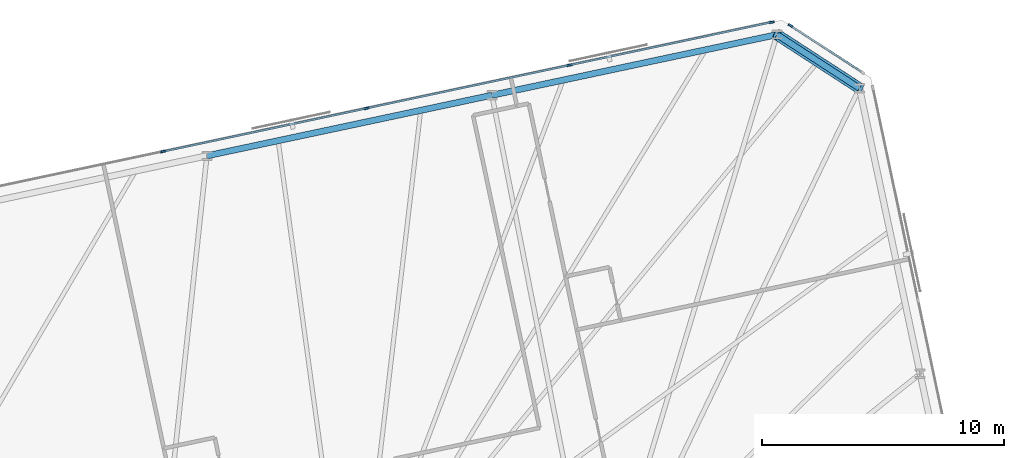
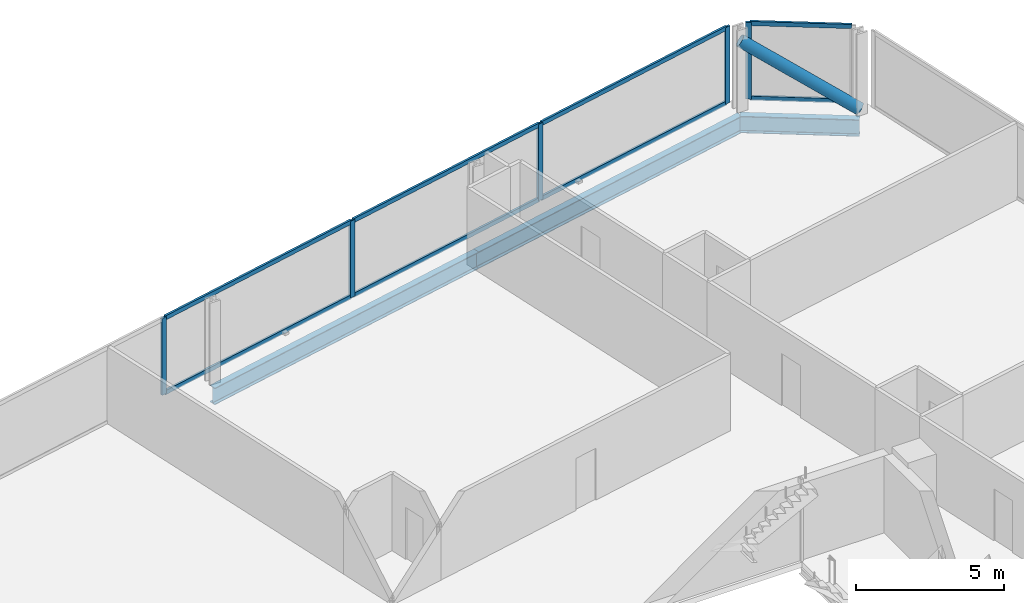
# One storey, part 11 of 19: 14 members, 3 beams, 2 elements without a shape of their own.
"""IFC4 building model written with IfcOpenShell, lengths in metres."""

import ifcopenshell
import ifcopenshell.guid

model = None  # the IFC model being written
_history = None  # IfcOwnerHistory: only IFC2X3 demands one
_inside = {}  # id of a spatial element -> (the spatial element, [elements in it])
_under = {}  # id of a project, library or spatial element -> (it, [spatial elements below it])
_declared = {}  # id of a project -> (the project, [libraries it declares])
_typed = {}  # id of a type object -> (the type object, [elements of that type])
_made_of = {}  # id of a material, layer set ... -> (it, [elements and type objects made of it])


def new_model(schema):
    """Start an empty IFC model of exactly this schema.

    Asked for "IFC4X3", IfcOpenShell would pick the latest addendum, in which some entities
    have other attributes; the version numbers below select the first issue.
    IFC2X3 requires an IfcOwnerHistory on every rooted entity: one is made here for all.
    """
    global model, _history
    if schema == "IFC4X3":
        model = ifcopenshell.file(schema_version=(4, 3, 0, 0))
    else:
        model = ifcopenshell.file(schema=schema)
    _inside.clear()
    _under.clear()
    _declared.clear()
    _typed.clear()
    _made_of.clear()
    _history = None
    if model.schema == "IFC2X3":
        org = make("IfcOrganization", Name="unknown")
        user = make(
            "IfcPersonAndOrganization",
            ThePerson=make("IfcPerson", FamilyName="unknown"),
            TheOrganization=org,
        )
        app = make(
            "IfcApplication",
            ApplicationDeveloper=org,
            Version="unknown",
            ApplicationFullName="unknown",
            ApplicationIdentifier="unknown",
        )
        _history = make(
            "IfcOwnerHistory",
            OwningUser=user,
            OwningApplication=app,
            ChangeAction="ADDED",
            CreationDate=0,
        )
    return model


def make(cls, **values):
    """One entity of the class cls with the attributes given. An attribute that is None is left unset."""
    return model.create_entity(
        cls, **{name: value for name, value in values.items() if value is not None}
    )


def rooted(cls, **values):
    """An entity with a GlobalId (a new one), such as an element, a storey or a relation."""
    return make(cls, GlobalId=ifcopenshell.guid.new(), OwnerHistory=_history, **values)


def si_unit(unit_type, name, prefix=None):
    """IfcSIUnit, for example si_unit("LENGTHUNIT", "METRE", prefix="MILLI")."""
    return make("IfcSIUnit", UnitType=unit_type, Prefix=prefix, Name=name)


def assignment(units):
    """IfcUnitAssignment: the units of a project."""
    return None if units is None else make("IfcUnitAssignment", Units=units)


def point(xyz):
    """IfcCartesianPoint."""
    return None if xyz is None else make("IfcCartesianPoint", Coordinates=xyz)


def direction(xyz):
    """IfcDirection."""
    return None if xyz is None else make("IfcDirection", DirectionRatios=xyz)


def frame(location, z_axis=None, x_axis=None):
    """IfcAxis2Placement3D, a coordinate frame: its origin and axes. An axis left out is left unset."""
    return make(
        "IfcAxis2Placement3D",
        Location=point(location),
        Axis=direction(z_axis),
        RefDirection=direction(x_axis),
    )


def frame_2d(location, x_axis=None):
    """IfcAxis2Placement2D, a coordinate frame in the plane: its origin and x axis."""
    return make(
        "IfcAxis2Placement2D", Location=point(location), RefDirection=direction(x_axis)
    )


def origin():
    """The frame at (0, 0, 0) with its axes left unset."""
    return frame((0.0, 0.0, 0.0))


def origin_2d():
    """The frame at (0, 0) in the plane with its x axis left unset."""
    return frame_2d((0.0, 0.0))


def place(relative_to, where):
    """IfcLocalPlacement: puts the frame where relative to a parent placement (None: the world)."""
    return make(
        "IfcLocalPlacement", PlacementRelTo=relative_to, RelativePlacement=where
    )


def context(
    kind, dimensions, precision=None, world=None, true_north=None, identifier=None
):
    """IfcGeometricRepresentationContext, for example the 3D "Model" context."""
    return make(
        "IfcGeometricRepresentationContext",
        ContextIdentifier=identifier,
        ContextType=kind,
        CoordinateSpaceDimension=dimensions,
        Precision=precision,
        WorldCoordinateSystem=world,
        TrueNorth=true_north,
    )


def subcontext(parent, identifier, kind, view, scale=None):
    """IfcGeometricRepresentationSubContext, for example "Body" below "Model"."""
    return make(
        "IfcGeometricRepresentationSubContext",
        ContextIdentifier=identifier,
        ContextType=kind,
        ParentContext=parent,
        TargetScale=scale,
        TargetView=view,
    )


def project(units=None, contexts=None):
    """IfcProject with its units and contexts."""
    return rooted(
        "IfcProject",
        Name="project",
        RepresentationContexts=contexts,
        UnitsInContext=assignment(units),
    )


def spatial(cls, under=None, at=None, **own):
    """A site, building, storey or space (cls), placed at a placement, below another one or the project."""
    s = rooted(cls, ObjectPlacement=at, **own)
    if under is not None:
        _under.setdefault(under.id(), (under, []))[1].append(s)
    return s


def profile(cls, at=None, kind="AREA", **sizes):
    """A parametric profile (cls). Its sizes go by their IFC names, for example OverallWidth=200.0."""
    return make(cls, ProfileType=kind, Position=at, **sizes)


def rectangle(**sizes):
    """IfcRectangleProfileDef."""
    return profile("IfcRectangleProfileDef", **sizes)


def hollow_circle(**sizes):
    """IfcCircleHollowProfileDef."""
    return profile("IfcCircleHollowProfileDef", **sizes)


def i_section(**sizes):
    """IfcIShapeProfileDef."""
    return profile("IfcIShapeProfileDef", **sizes)


def extrude(swept, where, along, depth):
    """IfcExtrudedAreaSolid: the profile swept, set in the frame where, extruded along a direction by depth."""
    return make(
        "IfcExtrudedAreaSolid",
        SweptArea=swept,
        Position=where,
        ExtrudedDirection=direction(along),
        Depth=depth,
    )


def shape(context_of_items, identifier, shape_type, items):
    """IfcShapeRepresentation: the items that make up one representation, for example the "Body"."""
    return make(
        "IfcShapeRepresentation",
        ContextOfItems=context_of_items,
        RepresentationIdentifier=identifier,
        RepresentationType=shape_type,
        Items=items,
    )


def material(Name=None, Category=None):
    """IfcMaterial."""
    return make("IfcMaterial", Name=Name, Category=Category)


def material_profile(
    of_material, cross_section, Name=None, Category=None, Priority=None
):
    """IfcMaterialProfile: a cross section and its material."""
    return make(
        "IfcMaterialProfile",
        Name=Name,
        Material=of_material,
        Profile=cross_section,
        Priority=Priority,
        Category=Category,
    )


def profile_set(profiles, Name=None, composite=None):
    """IfcMaterialProfileSet."""
    return make(
        "IfcMaterialProfileSet",
        Name=Name,
        MaterialProfiles=profiles,
        CompositeProfile=composite,
    )


def made_of(thing, what):
    """Note that an element or type object is made of a material, layer set ...; save() writes the relation."""
    if what is not None:
        _made_of.setdefault(what.id(), (what, []))[1].append(thing)
    return thing


def type_object(cls, material=None, **own):
    """A type object (cls), such as IfcWallType, which elements share."""
    return made_of(rooted(cls, **own), material)


def element(
    cls,
    number,
    at=None,
    inside=None,
    cuts=None,
    type_object=None,
    material=None,
    context=None,
    identifier="Body",
    shape_type=None,
    held_by="IfcProductDefinitionShape",
    body=None,
    shapes=None,
    **own,
):
    """One element of the class cls, such as IfcWall. Its Tag is "e" and its number.

    at: its placement. inside: the storey or other place that contains it. cuts: it is an
    opening in that element (IfcRelVoidsElement). A single representation is given by context,
    identifier, shape_type and body (its items); several are given by shapes. held_by: the class
    of the entity that holds the representations. save() writes the other relations.
    """
    e = rooted(cls, Tag="e%d" % number, ObjectPlacement=at, **own)
    if body is not None:
        shapes = [shape(context, identifier, shape_type, body)]
    if shapes is not None:
        e.Representation = make(held_by, Representations=shapes)
    if inside is not None:
        _inside.setdefault(inside.id(), (inside, []))[1].append(e)
    if cuts is not None:
        rooted(
            "IfcRelVoidsElement", RelatingBuildingElement=cuts, RelatedOpeningElement=e
        )
    if type_object is not None:
        _typed.setdefault(type_object.id(), (type_object, []))[1].append(e)
    return made_of(e, material)


def aggregate(whole, parts):
    """IfcRelAggregates: a whole, such as a stair, and the parts it consists of."""
    return rooted("IfcRelAggregates", RelatingObject=whole, RelatedObjects=parts)


def save(model, path):
    """Write the relations noted so far, then the file.

    IfcRelAggregates (storeys below a building ...), IfcRelContainedInSpatialStructure (elements
    in a storey), IfcRelDefinesByType, IfcRelAssociatesMaterial and IfcRelDeclares: one each for
    every whole, place, type object, material and project.
    """
    for whole, parts in _under.values():
        aggregate(whole, parts)
    for where, things in _inside.values():
        rooted(
            "IfcRelContainedInSpatialStructure",
            RelatedElements=things,
            RelatingStructure=where,
        )
    for kind, things in _typed.values():
        rooted("IfcRelDefinesByType", RelatedObjects=things, RelatingType=kind)
    for what, things in _made_of.values():
        rooted("IfcRelAssociatesMaterial", RelatedObjects=things, RelatingMaterial=what)
    for by, libraries in _declared.values():
        rooted("IfcRelDeclares", RelatingContext=by, RelatedDefinitions=libraries)
    model.write(path)


model = new_model("IFC4")

# Units and contexts
model_context = context("Model", 3, precision=1e-05, world=origin(), true_north=direction((0.0, 1.0)))
body_context = subcontext(model_context, "Body", "Model", "MODEL_VIEW")
ifc_project = project(units=[si_unit("LENGTHUNIT", "METRE"), si_unit("AREAUNIT", "SQUARE_METRE"), si_unit("VOLUMEUNIT", "CUBIC_METRE"), si_unit("PLANEANGLEUNIT", "RADIAN"), si_unit("MASSUNIT", "GRAM", prefix="KILO")], contexts=[model_context])

# Site, building, storey
site_placement = place(None, origin())
site = spatial("IfcSite", under=ifc_project, at=site_placement, CompositionType="ELEMENT")
building_placement = place(site_placement, origin())
building = spatial("IfcBuilding", under=site, at=building_placement, Name="Menara Jurai Vektor", CompositionType="ELEMENT")
storey_placement = place(building_placement, frame((0.0, 0.0, 151.39990234375)))
storey = spatial("IfcBuildingStorey", under=building, at=storey_placement, Name="L38", CompositionType="ELEMENT", Elevation=151.39990234375)

# Curtain wall, member
ifc_material_1 = material(Name="Anodised Pale Aluminium & Low-E Double Glazing", Category="aluminium")
curtain_wall_type = type_object("IfcCurtainWallType", Name="CW-BLK3", PredefinedType="NOTDEFINED", material=ifc_material_1)
curtain_wall_1_placement = place(storey_placement, origin())
curtain_wall_1 = element("IfcCurtainWall", 1, at=curtain_wall_1_placement, inside=storey, type_object=curtain_wall_type, Name="Unitised Curtain Wall L38 F04", PredefinedType="NOTDEFINED")
ifc_material_2 = material(Name="Anodised Pale Aluminium Mullion", Category="aluminium")
ifc_material_profile_1 = material_profile(ifc_material_2, rectangle(XDim=0.0849609375, YDim=0.205078125, at=origin_2d()), Name="ALU MUL 85x205")
ifc_profile_set_1 = profile_set([ifc_material_profile_1], Name="Anodised Pale Aluminium Mullion")
member_type_1 = type_object("IfcMemberType", Name="CW-BLK3-MUL", PredefinedType="MULLION", material=ifc_profile_set_1)
member_1_placement = place(storey_placement, frame((23.219970703125, 29.920654296875, 0.0), z_axis=(0.0, 0.0, 1.0), x_axis=(-0.544617794346, -0.838684361415, 0.0)))
member_1 = element("IfcMember", 2, at=member_1_placement, type_object=member_type_1, Name="CW-03 mullion 2", PredefinedType="MULLION", context=body_context, shape_type="SweptSolid", body=[
    extrude(rectangle(XDim=0.0849609375, YDim=0.205078125, at=origin_2d()), origin(), (0.0, 0.0, 1.0), 3.175048828125),
])

# Curtain wall, members
curtain_wall_2_placement = place(storey_placement, origin())
curtain_wall_2 = element("IfcCurtainWall", 3, at=curtain_wall_2_placement, inside=storey, type_object=curtain_wall_type, Name="Unitised Curtain Wall L38 F05", PredefinedType="NOTDEFINED")
member_2_placement = place(storey_placement, frame((22.452392578125, 30.062744140625, 0.0), z_axis=(0.0, 0.0, 1.0), x_axis=(0.207911344156, -0.978147674419, 0.0)))
member_2 = element("IfcMember", 4, at=member_2_placement, type_object=member_type_1, Name="CW-03 mullion 1", PredefinedType="MULLION", context=body_context, shape_type="SweptSolid", body=[
    extrude(rectangle(XDim=0.0849609375, YDim=0.205078125, at=origin_2d()), origin(), (0.0, 0.0, 1.0), 3.175048828125),
])
member_3_placement = place(storey_placement, frame((14.104248046875, 28.288330078125, 0.0), z_axis=(0.0, 0.0, 1.0), x_axis=(0.207911344156, -0.978147674419, 0.0)))
member_3 = element("IfcMember", 5, at=member_3_placement, type_object=member_type_1, Name="CW-03 mullion 2", PredefinedType="MULLION", context=body_context, shape_type="SweptSolid", body=[
    extrude(rectangle(XDim=0.0849609375, YDim=0.205078125, at=origin_2d()), origin(), (0.0, 0.0, 1.0), 3.175048828125),
])
member_4_placement = place(storey_placement, frame((5.71435546875, 26.505126953125, 0.0), z_axis=(0.0, 0.0, 1.0), x_axis=(0.207911344156, -0.978147674419, 0.0)))
member_4 = element("IfcMember", 6, at=member_4_placement, type_object=member_type_1, Name="CW-03 mullion 3", PredefinedType="MULLION", context=body_context, shape_type="SweptSolid", body=[
    extrude(rectangle(XDim=0.0849609375, YDim=0.205078125, at=origin_2d()), origin(), (0.0, 0.0, 1.0), 3.175048828125),
])
member_5_placement = place(storey_placement, frame((-2.67529296875, 24.721923828125, 0.0), z_axis=(0.0, 0.0, 1.0), x_axis=(0.207911344156, -0.978147674419, 0.0)))
member_5 = element("IfcMember", 7, at=member_5_placement, type_object=member_type_1, Name="CW-03 mullion 4", PredefinedType="MULLION", context=body_context, shape_type="SweptSolid", body=[
    extrude(rectangle(XDim=0.0849609375, YDim=0.205078125, at=origin_2d()), origin(), (0.0, 0.0, 1.0), 3.175048828125),
])

# Member
ifc_material_3 = material(Name="Anodised Pale Aluminium Transom", Category="aluminium")
ifc_material_profile_2 = material_profile(ifc_material_3, rectangle(XDim=0.0849609375, YDim=0.175048828125, at=origin_2d()), Name="ALU TRN 85x175")
ifc_profile_set_2 = profile_set([ifc_material_profile_2], Name="Anodised Pale Aluminium Transom")
member_type_2 = type_object("IfcMemberType", Name="CW-BLK3-TRN", PredefinedType="USERDEFINED", material=ifc_profile_set_2)
member_6_placement = place(storey_placement, frame((26.15234375, 28.016357421875, 0.04248046875), z_axis=(-0.83867770631, 0.54462804274, 0.0), x_axis=(-0.54462804274, -0.83867770631, 0.0)))
member_6 = element("IfcMember", 8, at=member_6_placement, type_object=member_type_2, Name="CW-03 transom 1.1", ObjectType="TRANSOM", PredefinedType="USERDEFINED", context=body_context, shape_type="SweptSolid", body=[
    extrude(rectangle(XDim=0.0849609375, YDim=0.175048828125, at=origin_2d()), origin(), (0.0, 0.0, 1.0), 3.453857421875),
])

member_7_placement = place(storey_placement, frame((26.15234375, 28.016357421875, 3.132568359375), z_axis=(-0.83867770631, 0.54462804274, 0.0), x_axis=(-0.54462804274, -0.83867770631, 0.0)))
member_7 = element("IfcMember", 9, at=member_7_placement, type_object=member_type_2, Name="CW-03 transom 1.2", ObjectType="TRANSOM", PredefinedType="USERDEFINED", context=body_context, shape_type="SweptSolid", body=[
    extrude(rectangle(XDim=0.0849609375, YDim=0.175048828125, at=origin_2d()), origin(), (0.0, 0.0, 1.0), 3.453857421875),
])

aggregate(curtain_wall_1, [member_1, member_6, member_7])

member_8_placement = place(storey_placement, frame((22.41064453125, 30.053955078125, 0.04248046875), z_axis=(-0.978151580361, -0.207892967261, 0.0), x_axis=(0.207892967261, -0.978151580361, 0.0)))
member_8 = element("IfcMember", 10, at=member_8_placement, type_object=member_type_2, Name="CW-03 transom 1.1", ObjectType="TRANSOM", PredefinedType="USERDEFINED", context=body_context, shape_type="SweptSolid", body=[
    extrude(rectangle(XDim=0.0849609375, YDim=0.175048828125, at=origin_2d()), origin(), (0.0, 0.0, 1.0), 8.449462890625),
])

member_9_placement = place(storey_placement, frame((22.41064453125, 30.053955078125, 3.132568359375), z_axis=(-0.978151580361, -0.207892967261, 0.0), x_axis=(0.207892967261, -0.978151580361, 0.0)))
member_9 = element("IfcMember", 11, at=member_9_placement, type_object=member_type_2, Name="CW-03 transom 1.2", ObjectType="TRANSOM", PredefinedType="USERDEFINED", context=body_context, shape_type="SweptSolid", body=[
    extrude(rectangle(XDim=0.0849609375, YDim=0.175048828125, at=origin_2d()), origin(), (0.0, 0.0, 1.0), 8.449462890625),
])

member_10_placement = place(storey_placement, frame((14.0625, 28.279541015625, 0.04248046875), z_axis=(-0.978146500933, -0.207916864907, 0.0), x_axis=(0.207916864907, -0.978146500933, 0.0)))
member_10 = element("IfcMember", 12, at=member_10_placement, type_object=member_type_2, Name="CW-03 transom 2.1", ObjectType="TRANSOM", PredefinedType="USERDEFINED", context=body_context, shape_type="SweptSolid", body=[
    extrude(rectangle(XDim=0.0849609375, YDim=0.175048828125, at=origin_2d()), origin(), (0.0, 0.0, 1.0), 8.491943359375),
])

member_11_placement = place(storey_placement, frame((14.0625, 28.279541015625, 3.132568359375), z_axis=(-0.978146500933, -0.207916864907, 0.0), x_axis=(0.207916864907, -0.978146500933, 0.0)))
member_11 = element("IfcMember", 13, at=member_11_placement, type_object=member_type_2, Name="CW-03 transom 2.2", ObjectType="TRANSOM", PredefinedType="USERDEFINED", context=body_context, shape_type="SweptSolid", body=[
    extrude(rectangle(XDim=0.0849609375, YDim=0.175048828125, at=origin_2d()), origin(), (0.0, 0.0, 1.0), 8.491943359375),
])

member_12_placement = place(storey_placement, frame((5.6728515625, 26.496337890625, 0.04248046875), z_axis=(-0.978147743708, -0.207911018178, 0.0), x_axis=(0.207911018178, -0.978147743708, 0.0)))
member_12 = element("IfcMember", 14, at=member_12_placement, type_object=member_type_2, Name="CW-03 transom 3.1", ObjectType="TRANSOM", PredefinedType="USERDEFINED", context=body_context, shape_type="SweptSolid", body=[
    extrude(rectangle(XDim=0.0849609375, YDim=0.175048828125, at=origin_2d()), origin(), (0.0, 0.0, 1.0), 8.4921875),
])

member_13_placement = place(storey_placement, frame((5.6728515625, 26.496337890625, 3.132568359375), z_axis=(-0.978147743708, -0.207911018178, 0.0), x_axis=(0.207911018178, -0.978147743708, 0.0)))
member_13 = element("IfcMember", 15, at=member_13_placement, type_object=member_type_2, Name="CW-03 transom 3.2", ObjectType="TRANSOM", PredefinedType="USERDEFINED", context=body_context, shape_type="SweptSolid", body=[
    extrude(rectangle(XDim=0.0849609375, YDim=0.175048828125, at=origin_2d()), origin(), (0.0, 0.0, 1.0), 8.4921875),
])

aggregate(curtain_wall_2, [member_2, member_3, member_4, member_5, member_8, member_9, member_10, member_11, member_12, member_13])

ifc_material_4 = material(Name="Steel S460", Category="steel")
ifc_material_profile_3 = material_profile(ifc_material_4, hollow_circle(Radius=0.228515625, WallThickness=0.01611328125, at=origin_2d()), Name="CHS 457x16")
ifc_profile_set_3 = profile_set([ifc_material_profile_3], Name="Steel S460")
member_type_3 = type_object("IfcMemberType", Name="STR-BR-457", PredefinedType="BRACE", material=ifc_profile_set_3)
member_14_placement = place(storey_placement, frame((26.0712890625, 27.33349609375, 0.150146484375), z_axis=(-0.700418818423, 0.454848055166, 0.550024295382), x_axis=(-0.544631249681, -0.838675623749, 0.0)))
element("IfcMember", 16, at=member_14_placement, inside=storey, type_object=member_type_3, Name="Exoskeleton Corner Brace L38-2", PredefinedType="BRACE", context=body_context, shape_type="SweptSolid", body=[
    extrude(hollow_circle(Radius=0.228515625, WallThickness=0.01611328125, at=origin_2d()), origin(), (0.0, 0.0, 1.0), 4.863525390625),
])

# Beams
ifc_material_profile_4 = material_profile(ifc_material_4, i_section(OverallWidth=0.256103515625, OverallDepth=0.693115234375, WebThickness=0.013916015625, FlangeThickness=0.02392578125, FilletRadius=0.014892578125, at=origin_2d()), Name="UKB 686x254x170")
ifc_profile_set_4 = profile_set([ifc_material_profile_4], Name="Steel S460")
beam_type = type_object("IfcBeamType", Name="STR-SP-686", PredefinedType="SPANDREL", material=ifc_profile_set_4)
beam_1_placement = place(storey_placement, frame((26.0712890625, 27.33349609375, -0.5712890625), z_axis=(-0.838675623749, 0.544631249681, 0.0), x_axis=(-0.544631249681, -0.838675623749, 0.0)))
element("IfcBeam", 17, at=beam_1_placement, inside=storey, type_object=beam_type, Name="Exoskeleton Spandrel Beam L38-10", PredefinedType="SPANDREL", context=body_context, shape_type="SweptSolid", body=[
    extrude(i_section(OverallWidth=0.256103515625, OverallDepth=0.693115234375, WebThickness=0.013916015625, FlangeThickness=0.02392578125, FilletRadius=0.014892578125, at=origin_2d()), origin(), (0.0, 0.0, 1.0), 4.061767578125),
])
beam_2_placement = place(storey_placement, frame((22.664794921875, 29.545654296875, -0.5712890625), z_axis=(-0.978147039247, -0.207914332389, 0.0), x_axis=(0.207914332389, -0.978147039247, 0.0)))
element("IfcBeam", 18, at=beam_2_placement, inside=storey, type_object=beam_type, Name="Exoskeleton Spandrel Beam L38-11", PredefinedType="SPANDREL", context=body_context, shape_type="SweptSolid", body=[
    extrude(i_section(OverallWidth=0.256103515625, OverallDepth=0.693115234375, WebThickness=0.013916015625, FlangeThickness=0.02392578125, FilletRadius=0.014892578125, at=origin_2d()), origin(), (0.0, 0.0, 1.0), 12.03125),
])
beam_3_placement = place(storey_placement, frame((10.896484375, 27.044189453125, -0.5712890625), z_axis=(-0.978150288855, -0.207899043801, 0.0), x_axis=(0.207899043801, -0.978150288855, 0.0)))
element("IfcBeam", 19, at=beam_3_placement, inside=storey, type_object=beam_type, Name="Exoskeleton Spandrel Beam L38-12", PredefinedType="SPANDREL", context=body_context, shape_type="SweptSolid", body=[
    extrude(i_section(OverallWidth=0.256103515625, OverallDepth=0.693115234375, WebThickness=0.013916015625, FlangeThickness=0.02392578125, FilletRadius=0.014892578125, at=origin_2d()), origin(), (0.0, 0.0, 1.0), 12.031005859375),
])

save(model, "model.ifc")
